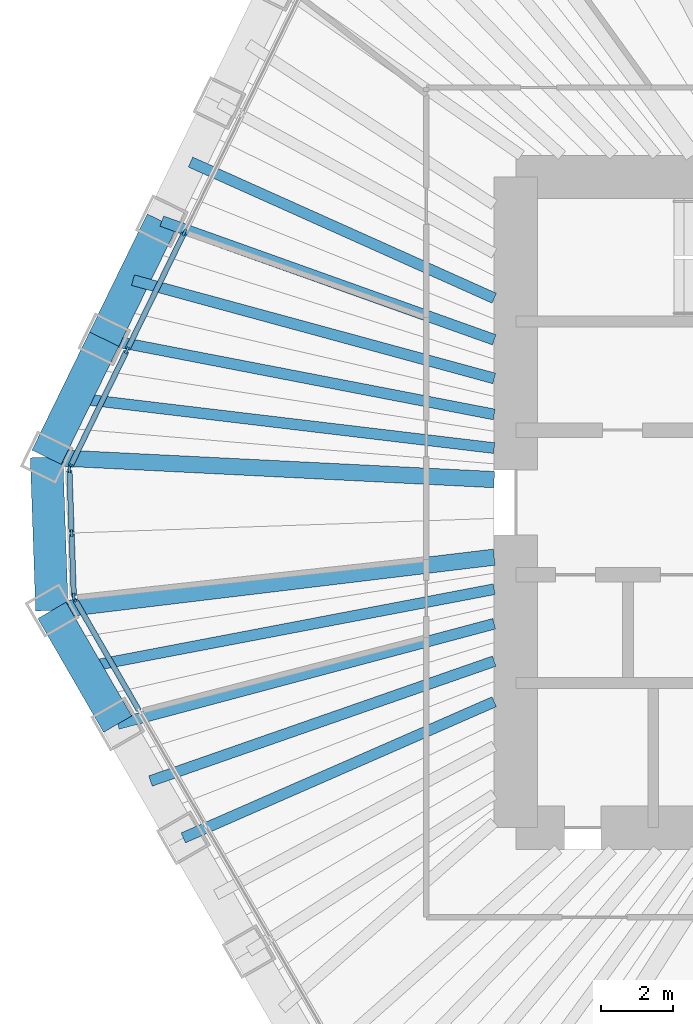
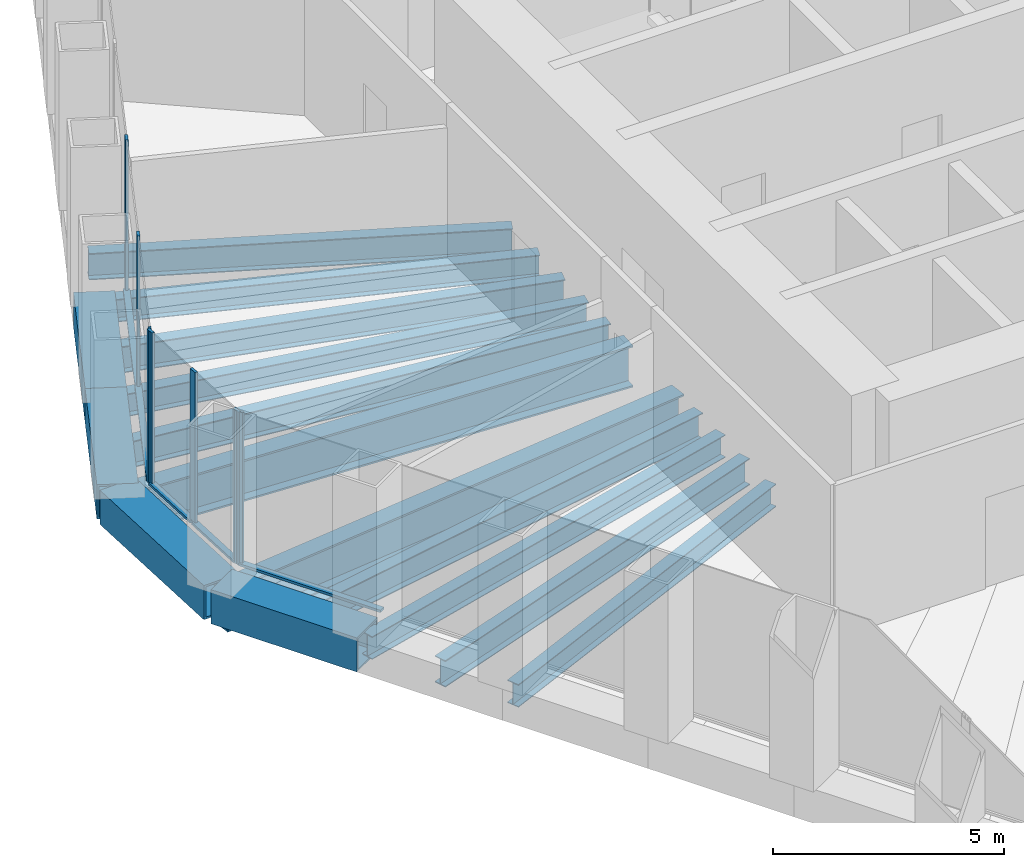
# One storey, part 3 of 14: 15 beams, 12 members, 3 elements without a shape of their own.
"""IFC4 building model written with IfcOpenShell, lengths in metres."""

from ifc_helpers import new_model, si_unit, direction, frame, origin, origin_2d, place, context, subcontext, project, spatial, rectangle, hollow_rectangle, i_section, extrude, material, material_profile, profile_set, type_object, element, aggregate, save


model = new_model("IFC4")

# Units and contexts
model_context = context("Model", 3, precision=1e-05, world=origin(), true_north=direction((0.0, 1.0)))
body_context = subcontext(model_context, "Body", "Model", "MODEL_VIEW")
ifc_project = project(units=[si_unit("LENGTHUNIT", "METRE"), si_unit("AREAUNIT", "SQUARE_METRE"), si_unit("VOLUMEUNIT", "CUBIC_METRE"), si_unit("PLANEANGLEUNIT", "RADIAN"), si_unit("MASSUNIT", "GRAM", prefix="KILO")], contexts=[model_context])

# Site, building, storey
site_placement = place(None, origin())
site = spatial("IfcSite", under=ifc_project, at=site_placement, CompositionType="ELEMENT")
building_placement = place(site_placement, origin())
building = spatial("IfcBuilding", under=site, at=building_placement, Name="Qingtian Harvest Tower", CompositionType="ELEMENT")
storey_placement = place(building_placement, frame((0.0, 0.0, 201.39990234375)))
storey = spatial("IfcBuildingStorey", under=building, at=storey_placement, Name="L43", CompositionType="ELEMENT", Elevation=201.39990234375)

# Beams
ifc_material_1 = material(Name="Steel SM570MC", Category="steel")
ifc_material_profile_1 = material_profile(ifc_material_1, i_section(OverallWidth=0.449951171875, OverallDepth=1.10009765625, WebThickness=0.02197265625, FlangeThickness=0.044921875, at=origin_2d()), Name="H1100x450x22x45")
ifc_profile_set_1 = profile_set([ifc_material_profile_1], Name="Steel SM570MC")
beam_type_1 = type_object("IfcBeamType", Name="Corner floor beam FB8 H1100x450x22x45", PredefinedType="BEAM", material=ifc_profile_set_1)
beam_1_placement = place(storey_placement, frame((-24.833251953125, -2.987548828125, -0.719970703125), z_axis=(0.992841259631, 0.119441337798, 0.0), x_axis=(-0.119441337798, 0.992841259631, 0.0)))
element("IfcBeam", 1, at=beam_1_placement, inside=storey, type_object=beam_type_1, Name="Floor beam FB8 SW6", PredefinedType="BEAM", context=body_context, shape_type="SweptSolid", body=[
    extrude(i_section(OverallWidth=0.449951171875, OverallDepth=1.10009765625, WebThickness=0.02197265625, FlangeThickness=0.044921875, at=origin_2d()), origin(), (0.0, 0.0, 1.0), 12.3212890625),
])
beam_2_placement = place(storey_placement, frame((-24.981201171875, 1.248046875, -0.719970703125), z_axis=(0.998753959075, -0.049905202459, 0.0), x_axis=(0.049905202459, 0.998753959075, 0.0)))
element("IfcBeam", 2, at=beam_2_placement, inside=storey, type_object=beam_type_1, Name="Floor beam FB8 NW0", PredefinedType="BEAM", context=body_context, shape_type="SweptSolid", body=[
    extrude(i_section(OverallWidth=0.449951171875, OverallDepth=1.10009765625, WebThickness=0.02197265625, FlangeThickness=0.044921875, at=origin_2d()), origin(), (0.0, 0.0, 1.0), 12.396484375),
])
ifc_material_2 = material(Name="Steel SN490B", Category="steel")
ifc_material_profile_2 = material_profile(ifc_material_2, i_section(OverallWidth=0.300048828125, OverallDepth=0.60009765625, WebThickness=0.011962890625, FlangeThickness=0.02001953125, at=origin_2d()), Name="H600x300x12x20")
ifc_profile_set_2 = profile_set([ifc_material_profile_2], Name="Steel SN490B")
beam_type_2 = type_object("IfcBeamType", Name="Floor beam FB3 H600x300x12x20", PredefinedType="BEAM", material=ifc_profile_set_2)
beam_3_placement = place(storey_placement, frame((-21.19970703125, -9.281005859375, -0.469970703125), z_axis=(0.916057031544, 0.401048020765, 0.0), x_axis=(-0.401048020765, 0.916057031544, 0.0)))
element("IfcBeam", 3, at=beam_3_placement, inside=storey, type_object=beam_type_2, Name="Floor beam FB3 SW4", PredefinedType="BEAM", context=body_context, shape_type="SweptSolid", body=[
    extrude(i_section(OverallWidth=0.300048828125, OverallDepth=0.60009765625, WebThickness=0.011962890625, FlangeThickness=0.02001953125, at=origin_2d()), origin(), (0.0, 0.0, 1.0), 9.3876953125),
])
beam_4_placement = place(storey_placement, frame((-23.016357421875, -6.13427734375, -0.469970703125), z_axis=(0.966270640629, 0.257528734433, 0.0), x_axis=(-0.257528734433, 0.966270640629, 0.0)))
element("IfcBeam", 4, at=beam_4_placement, inside=storey, type_object=beam_type_2, Name="Floor beam FB3 SW5", PredefinedType="BEAM", context=body_context, shape_type="SweptSolid", body=[
    extrude(i_section(OverallWidth=0.300048828125, OverallDepth=0.60009765625, WebThickness=0.011962890625, FlangeThickness=0.02001953125, at=origin_2d()), origin(), (0.0, 0.0, 1.0), 10.77978515625),
])
beam_5_placement = place(storey_placement, frame((-23.388427734375, 4.513916015625, -0.469970703125), z_axis=(0.981878004162, -0.189514075845, 0.0), x_axis=(0.189514075845, 0.981878004162, 0.0)))
element("IfcBeam", 5, at=beam_5_placement, inside=storey, type_object=beam_type_2, Name="Floor beam FB3 NW1", PredefinedType="BEAM", context=body_context, shape_type="SweptSolid", body=[
    extrude(i_section(OverallWidth=0.300048828125, OverallDepth=0.60009765625, WebThickness=0.011962890625, FlangeThickness=0.02001953125, at=origin_2d()), origin(), (0.0, 0.0, 1.0), 10.987548828125),
])
beam_6_placement = place(storey_placement, frame((-21.79541015625, 7.779541015625, -0.469970703125), z_axis=(0.941800733255, -0.336171650857, 0.0), x_axis=(0.336171650857, 0.941800733255, 0.0)))
element("IfcBeam", 6, at=beam_6_placement, inside=storey, type_object=beam_type_2, Name="Floor beam FB3 NW2", PredefinedType="BEAM", context=body_context, shape_type="SweptSolid", body=[
    extrude(i_section(OverallWidth=0.300048828125, OverallDepth=0.60009765625, WebThickness=0.011962890625, FlangeThickness=0.02001953125, at=origin_2d()), origin(), (0.0, 0.0, 1.0), 9.763427734375),
])
ifc_material_3 = material(Name="Steel SN490B", Category="steel")
ifc_material_profile_3 = material_profile(ifc_material_3, i_section(OverallWidth=0.300048828125, OverallDepth=0.699951171875, WebThickness=0.012939453125, FlangeThickness=0.02392578125, at=origin_2d()), Name="H700x300x13x24")
ifc_profile_set_3 = profile_set([ifc_material_profile_3], Name="Steel SN490B")
beam_type_3 = type_object("IfcBeamType", Name="Floor joist J2 H700x300x13x24", PredefinedType="JOIST", material=ifc_profile_set_3)
beam_7_placement = place(storey_placement, frame((-22.108154296875, -7.707763671875, -0.52001953125), z_axis=(0.944256456951, 0.329210788868, 0.0), x_axis=(-0.329210788868, 0.944256456951, 0.0)))
element("IfcBeam", 7, at=beam_7_placement, inside=storey, type_object=beam_type_3, Name="Floor joist J2 SW4", PredefinedType="JOIST", context=body_context, shape_type="SweptSolid", body=[
    extrude(i_section(OverallWidth=0.300048828125, OverallDepth=0.699951171875, WebThickness=0.012939453125, FlangeThickness=0.02392578125, at=origin_2d()), origin(), (0.0, 0.0, 1.0), 10.0693359375),
])
beam_8_placement = place(storey_placement, frame((-23.9248046875, -4.56103515625, -0.52001953125), z_axis=(0.982309082743, 0.187266830912, 0.0), x_axis=(-0.187266830912, 0.982309082743, 0.0)))
element("IfcBeam", 8, at=beam_8_placement, inside=storey, type_object=beam_type_3, Name="Floor joist J2 SW5", PredefinedType="JOIST", context=body_context, shape_type="SweptSolid", body=[
    extrude(i_section(OverallWidth=0.300048828125, OverallDepth=0.699951171875, WebThickness=0.012939453125, FlangeThickness=0.02392578125, at=origin_2d()), origin(), (0.0, 0.0, 1.0), 11.528564453125),
])
beam_9_placement = place(storey_placement, frame((-24.184814453125, 2.880859375, -0.52001953125), z_axis=(0.992980727423, -0.11827626544, 0.0), x_axis=(0.11827626544, 0.992980727423, 0.0)))
element("IfcBeam", 9, at=beam_9_placement, inside=storey, type_object=beam_type_3, Name="Floor joist J2 NW0", PredefinedType="JOIST", context=body_context, shape_type="SweptSolid", body=[
    extrude(i_section(OverallWidth=0.300048828125, OverallDepth=0.699951171875, WebThickness=0.012939453125, FlangeThickness=0.02392578125, at=origin_2d()), origin(), (0.0, 0.0, 1.0), 11.66650390625),
])
beam_10_placement = place(storey_placement, frame((-22.591796875, 6.146728515625, -0.52001953125), z_axis=(0.964923062728, -0.26253282274, 0.0), x_axis=(0.26253282274, 0.964923062728, 0.0)))
element("IfcBeam", 10, at=beam_10_placement, inside=storey, type_object=beam_type_3, Name="Floor joist J2 NW1", PredefinedType="JOIST", context=body_context, shape_type="SweptSolid", body=[
    extrude(i_section(OverallWidth=0.300048828125, OverallDepth=0.699951171875, WebThickness=0.012939453125, FlangeThickness=0.02392578125, at=origin_2d()), origin(), (0.0, 0.0, 1.0), 10.35498046875),
])
beam_11_placement = place(storey_placement, frame((-20.9990234375, 9.41259765625, -0.52001953125), z_axis=(0.912515128421, -0.409042956671, 0.0), x_axis=(0.409042956671, 0.912515128421, 0.0)))
element("IfcBeam", 11, at=beam_11_placement, inside=storey, type_object=beam_type_3, Name="Floor joist J2 NW2", PredefinedType="JOIST", context=body_context, shape_type="SweptSolid", body=[
    extrude(i_section(OverallWidth=0.300048828125, OverallDepth=0.699951171875, WebThickness=0.012939453125, FlangeThickness=0.02392578125, at=origin_2d()), origin(), (0.0, 0.0, 1.0), 9.2041015625),
])

# Curtain wall, member
ifc_material_4 = material(Name="Bronze-anodised aluminium curtain wall", Category="aluminium")
curtain_wall_type = type_object("IfcCurtainWallType", Name="Curtain wall CW4 office", PredefinedType="USERDEFINED", material=ifc_material_4)
curtain_wall_1_placement = place(storey_placement, origin())
curtain_wall_1 = element("IfcCurtainWall", 12, at=curtain_wall_1_placement, inside=storey, type_object=curtain_wall_type, Name="Curtain wall CW4 L43 SW0-5", ObjectType="RECESSED CURTAIN WALL", PredefinedType="USERDEFINED")
ifc_material_5 = material(Name="Bronze-anodised aluminium mullion", Category="aluminium")
ifc_material_profile_4 = material_profile(ifc_material_5, rectangle(XDim=0.06494140625, YDim=0.199951171875, at=origin_2d()), Name="AL 65x200")
ifc_profile_set_4 = profile_set([ifc_material_profile_4], Name="Bronze-anodised aluminium mullion")
member_type_1 = type_object("IfcMemberType", Name="Mullion CWM 65x200", PredefinedType="MULLION", material=ifc_profile_set_4)
member_1_placement = place(storey_placement, frame((-24.210693359375, -2.665771484375, 0.0), z_axis=(0.0, 0.0, 1.0), x_axis=(-0.866025403784, -0.5, 0.0)))
member_1 = element("IfcMember", 13, at=member_1_placement, type_object=member_type_1, Name="CW4 mullion 7", PredefinedType="MULLION", context=body_context, shape_type="SweptSolid", body=[
    extrude(rectangle(XDim=0.06494140625, YDim=0.199951171875, at=origin_2d()), origin(), (0.0, 0.0, 1.0), 4.030029296875),
])

# Curtain wall, members
curtain_wall_2_placement = place(storey_placement, origin())
curtain_wall_2 = element("IfcCurtainWall", 14, at=curtain_wall_2_placement, inside=storey, type_object=curtain_wall_type, Name="Curtain wall CW4 L43 SWC", ObjectType="RECESSED CURTAIN WALL", PredefinedType="USERDEFINED")
member_2_placement = place(storey_placement, frame((-24.228271484375, -2.60498046875, 0.0), z_axis=(0.0, 0.0, 1.0), x_axis=(-0.999390827019, -0.034899496703, 0.0)))
member_2 = element("IfcMember", 15, at=member_2_placement, type_object=member_type_1, Name="CW4 mullion 1", PredefinedType="MULLION", context=body_context, shape_type="SweptSolid", body=[
    extrude(rectangle(XDim=0.06494140625, YDim=0.199951171875, at=origin_2d()), origin(), (0.0, 0.0, 1.0), 4.030029296875),
])
member_3_placement = place(storey_placement, frame((-24.28955078125, -0.84814453125, 0.0), z_axis=(0.0, 0.0, 1.0), x_axis=(-0.999390827019, -0.034899496703, 0.0)))
member_3 = element("IfcMember", 16, at=member_3_placement, type_object=member_type_1, Name="CW4 mullion 2", PredefinedType="MULLION", context=body_context, shape_type="SweptSolid", body=[
    extrude(rectangle(XDim=0.06494140625, YDim=0.199951171875, at=origin_2d()), origin(), (0.0, 0.0, 1.0), 4.030029296875),
])
member_4_placement = place(storey_placement, frame((-24.350830078125, 0.90869140625, 0.0), z_axis=(0.0, 0.0, 1.0), x_axis=(-0.999390827019, -0.034899496703, 0.0)))
member_4 = element("IfcMember", 17, at=member_4_placement, type_object=member_type_1, Name="CW4 mullion 3", PredefinedType="MULLION", context=body_context, shape_type="SweptSolid", body=[
    extrude(rectangle(XDim=0.06494140625, YDim=0.199951171875, at=origin_2d()), origin(), (0.0, 0.0, 1.0), 4.030029296875),
])

curtain_wall_3_placement = place(storey_placement, origin())
curtain_wall_3 = element("IfcCurtainWall", 18, at=curtain_wall_3_placement, inside=storey, type_object=curtain_wall_type, Name="Curtain wall CW4 L43 NW0-5", ObjectType="RECESSED CURTAIN WALL", PredefinedType="USERDEFINED")
member_5_placement = place(storey_placement, frame((-24.337646484375, 0.970458984375, 0.0), z_axis=(0.0, 0.0, 1.0), x_axis=(-0.898794046299, 0.438371146789, 0.0)))
member_5 = element("IfcMember", 19, at=member_5_placement, type_object=member_type_1, Name="CW4 mullion 1", PredefinedType="MULLION", context=body_context, shape_type="SweptSolid", body=[
    extrude(rectangle(XDim=0.06494140625, YDim=0.199951171875, at=origin_2d()), origin(), (0.0, 0.0, 1.0), 4.030029296875),
])
member_6_placement = place(storey_placement, frame((-22.759033203125, 4.20703125, 0.0), z_axis=(0.0, 0.0, 1.0), x_axis=(-0.898794046299, 0.438371146789, 0.0)))
member_6 = element("IfcMember", 20, at=member_6_placement, type_object=member_type_1, Name="CW4 mullion 2", PredefinedType="MULLION", context=body_context, shape_type="SweptSolid", body=[
    extrude(rectangle(XDim=0.06494140625, YDim=0.199951171875, at=origin_2d()), origin(), (0.0, 0.0, 1.0), 4.030029296875),
])
member_7_placement = place(storey_placement, frame((-21.166259765625, 7.47265625, 0.0), z_axis=(0.0, 0.0, 1.0), x_axis=(-0.898794046299, 0.438371146789, 0.0)))
member_7 = element("IfcMember", 21, at=member_7_placement, type_object=member_type_1, Name="CW4 mullion 3", PredefinedType="MULLION", context=body_context, shape_type="SweptSolid", body=[
    extrude(rectangle(XDim=0.06494140625, YDim=0.199951171875, at=origin_2d()), origin(), (0.0, 0.0, 1.0), 4.030029296875),
])

# Beams
ifc_material_6 = material(Name="Steel SM570MC", Category="steel")
ifc_material_profile_5 = material_profile(ifc_material_6, hollow_rectangle(XDim=0.89990234375, YDim=0.89990234375, WallThickness=0.050048828125, at=origin_2d()), Name="BOX900x900x50")
ifc_profile_set_5 = profile_set([ifc_material_profile_5], Name="Steel SM570MC")
beam_type_4 = type_object("IfcBeamType", Name="Transition spandrel SB6 BOX900x900x50", PredefinedType="SPANDREL", material=ifc_profile_set_5)
beam_12_placement = place(storey_placement, frame((-23.016357421875, -6.13427734375, -0.449951171875), z_axis=(-0.500026827678, 0.866009914263, 0.0), x_axis=(-0.866009914263, -0.500026827678, 0.0)))
element("IfcBeam", 22, at=beam_12_placement, inside=storey, type_object=beam_type_4, Name="Spandrel SB6 SW5", PredefinedType="SPANDREL", context=body_context, shape_type="SweptSolid", body=[
    extrude(hollow_rectangle(XDim=0.89990234375, YDim=0.89990234375, WallThickness=0.050048828125, at=origin_2d()), origin(), (0.0, 0.0, 1.0), 3.633544921875),
])
beam_13_placement = place(storey_placement, frame((-24.833251953125, -2.987548828125, -0.449951171875), z_axis=(-0.034908677553, 0.999390506375, 0.0), x_axis=(-0.999390506375, -0.034908677553, 0.0)))
element("IfcBeam", 23, at=beam_13_placement, inside=storey, type_object=beam_type_4, Name="Spandrel SB6 SWC", PredefinedType="SPANDREL", context=body_context, shape_type="SweptSolid", body=[
    extrude(hollow_rectangle(XDim=0.89990234375, YDim=0.89990234375, WallThickness=0.050048828125, at=origin_2d()), origin(), (0.0, 0.0, 1.0), 4.23828125),
])
for number, where, z_axis, x_axis, name in (
    (24, (-24.981201171875, 1.248046875, -0.449951171875), (0.438349498419, 0.898804604592, 0.0), (-0.898804604592, 0.438349498419, 0.0), "Spandrel SB6 NW0"),
    (25, (-23.388427734375, 4.513916015625, -0.449951171875), (0.438430251153, 0.898765216769, 0.0), (-0.898765216769, 0.438430251153, 0.0), "Spandrel SB6 NW1"),
):
    element("IfcBeam", number, at=place(storey_placement, frame(where, z_axis=z_axis, x_axis=x_axis)), inside=storey, type_object=beam_type_4, Name=name, PredefinedType="SPANDREL", context=body_context, shape_type="SweptSolid", body=[
        extrude(hollow_rectangle(XDim=0.89990234375, YDim=0.89990234375, WallThickness=0.050048828125, at=origin_2d()), origin(), (0.0, 0.0, 1.0), 3.633544921875),
    ])

# Member
ifc_material_7 = material(Name="Bronze-anodised aluminium transom", Category="aluminium")
ifc_material_profile_6 = material_profile(ifc_material_7, rectangle(XDim=0.14990234375, YDim=0.06494140625, at=origin_2d()), Name="AL 65x150")
ifc_profile_set_6 = profile_set([ifc_material_profile_6], Name="Bronze-anodised aluminium transom")
member_type_2 = type_object("IfcMemberType", Name="Transom CWT 65x150", PredefinedType="USERDEFINED", material=ifc_profile_set_6)
member_8_placement = place(storey_placement, frame((-22.426513671875, -5.756103515625, 0.03271484375), z_axis=(-0.500015305566, 0.866016566931, 0.0), x_axis=(-0.866016566931, -0.500015305566, 0.0)))
member_8 = element("IfcMember", 26, at=member_8_placement, type_object=member_type_2, Name="CW4 transom 6.1", ObjectType="TRANSOM", PredefinedType="USERDEFINED", context=body_context, shape_type="SweptSolid", body=[
    extrude(rectangle(XDim=0.14990234375, YDim=0.06494140625, at=origin_2d()), origin(), (0.0, 0.0, 1.0), 3.5361328125),
])

aggregate(curtain_wall_1, [member_1, member_8])

member_9_placement = place(storey_placement, frame((-24.229248046875, -2.572509765625, 0.03271484375), z_axis=(-0.034899362377, 0.99939083171, 0.0), x_axis=(-0.99939083171, -0.034899362377, 0.0)))
member_9 = element("IfcMember", 27, at=member_9_placement, type_object=member_type_2, Name="CW4 transom 1.1", ObjectType="TRANSOM", PredefinedType="USERDEFINED", context=body_context, shape_type="SweptSolid", body=[
    extrude(rectangle(XDim=0.14990234375, YDim=0.06494140625, at=origin_2d()), origin(), (0.0, 0.0, 1.0), 1.69287109375),
])

member_10_placement = place(storey_placement, frame((-24.29052734375, -0.815673828125, 0.03271484375), z_axis=(-0.034899362377, 0.99939083171, 0.0), x_axis=(-0.99939083171, -0.034899362377, 0.0)))
member_10 = element("IfcMember", 28, at=member_10_placement, type_object=member_type_2, Name="CW4 transom 2.1", ObjectType="TRANSOM", PredefinedType="USERDEFINED", context=body_context, shape_type="SweptSolid", body=[
    extrude(rectangle(XDim=0.14990234375, YDim=0.06494140625, at=origin_2d()), origin(), (0.0, 0.0, 1.0), 1.69287109375),
])

aggregate(curtain_wall_2, [member_2, member_3, member_4, member_9, member_10])

member_11_placement = place(storey_placement, frame((-24.323486328125, 0.99951171875, 0.03271484375), z_axis=(0.438354255898, 0.898802284341, 0.0), x_axis=(-0.898802284341, 0.438354255898, 0.0)))
member_11 = element("IfcMember", 29, at=member_11_placement, type_object=member_type_2, Name="CW4 transom 1.1", ObjectType="TRANSOM", PredefinedType="USERDEFINED", context=body_context, shape_type="SweptSolid", body=[
    extrude(rectangle(XDim=0.14990234375, YDim=0.06494140625, at=origin_2d()), origin(), (0.0, 0.0, 1.0), 3.5361328125),
])

member_12_placement = place(storey_placement, frame((-22.744873046875, 4.236083984375, 0.03271484375), z_axis=(0.438325233634, 0.89881643819, 0.0), x_axis=(-0.89881643819, 0.438325233634, 0.0)))
member_12 = element("IfcMember", 30, at=member_12_placement, type_object=member_type_2, Name="CW4 transom 2.1", ObjectType="TRANSOM", PredefinedType="USERDEFINED", context=body_context, shape_type="SweptSolid", body=[
    extrude(rectangle(XDim=0.14990234375, YDim=0.06494140625, at=origin_2d()), origin(), (0.0, 0.0, 1.0), 3.568603515625),
])

aggregate(curtain_wall_3, [member_5, member_6, member_7, member_11, member_12])

save(model, "model.ifc")
